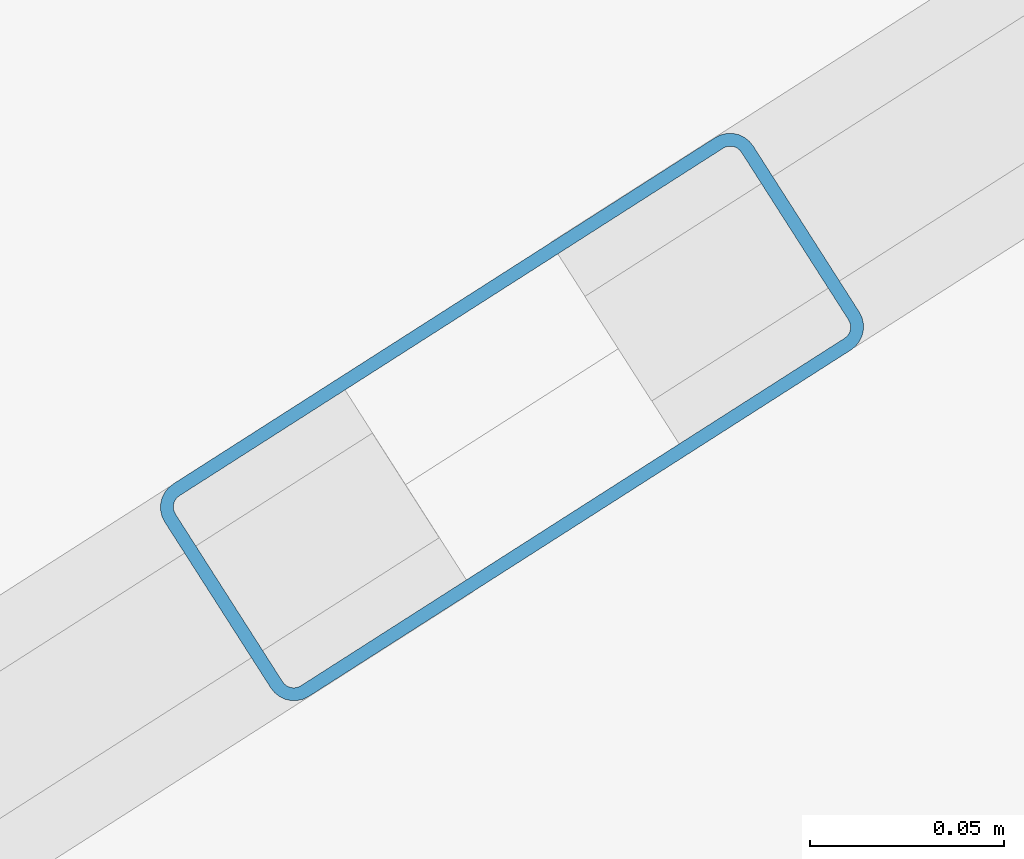
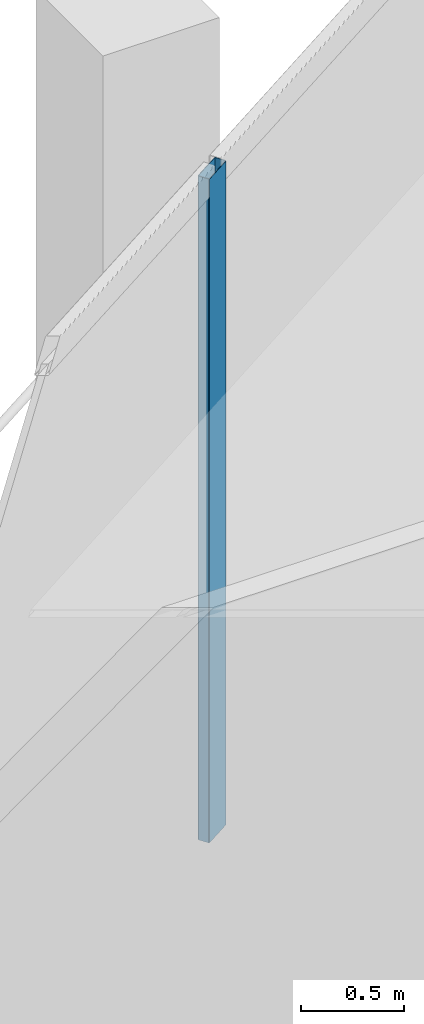
# One storey, part 14 of 44: 1 member, 1 element without a shape of its own.
"""IFC4 building model written with IfcOpenShell, lengths in metres."""

from ifc_helpers import new_model, si_unit, direction, frame, origin, origin_2d, place, context, subcontext, project, spatial, hollow_rectangle, extrude, material, layer, layer_set, material_profile, profile_set, type_object, element, aggregate, save


model = new_model("IFC4")

# Units and contexts
model_context = context("Model", 3, precision=1e-05, world=origin(), true_north=direction((0.0, 1.0)))
body_context = subcontext(model_context, "Body", "Model", "MODEL_VIEW")
ifc_project = project(units=[si_unit("LENGTHUNIT", "METRE"), si_unit("AREAUNIT", "SQUARE_METRE"), si_unit("VOLUMEUNIT", "CUBIC_METRE"), si_unit("PLANEANGLEUNIT", "RADIAN"), si_unit("MASSUNIT", "GRAM", prefix="KILO")], contexts=[model_context])

# Site, building, storey
site_placement = place(None, origin())
site = spatial("IfcSite", under=ifc_project, at=site_placement, CompositionType="ELEMENT")
building_placement = place(site_placement, origin())
building = spatial("IfcBuilding", under=site, at=building_placement, Name="Qorvath Tower", CompositionType="ELEMENT")
storey_placement = place(building_placement, frame((0.0, 0.0, 45.0)))
storey = spatial("IfcBuildingStorey", under=building, at=storey_placement, Name="L09", CompositionType="ELEMENT", Elevation=45.0)

# Curtain wall, member
ifc_material_1 = material(Name="Anodised aluminium and triple low-E glass", Category="aluminium")
ifc_layer = layer(ifc_material_1, 0.179931640625)
ifc_layer_set = layer_set([ifc_layer], Name="CW-SYS-2")
curtain_wall_type = type_object("IfcCurtainWallType", Name="CW-SYS-2", PredefinedType="NOTDEFINED", material=ifc_layer_set)
curtain_wall_placement = place(storey_placement, origin())
curtain_wall = element("IfcCurtainWall", 1, at=curtain_wall_placement, inside=storey, type_object=curtain_wall_type, Name="Curtain Wall CW-2 CW-T-L09-16.3", PredefinedType="NOTDEFINED")
ifc_material_2 = material(Name="Anodised aluminium 6063-T6", Category="aluminium")
ifc_material_profile = material_profile(ifc_material_2, hollow_rectangle(XDim=0.06494140625, YDim=0.179931640625, WallThickness=0.00341796875, InnerFilletRadius=0.00341796875, OuterFilletRadius=0.007080078125, at=origin_2d()), Name="CWM 180x65")
ifc_profile_set = profile_set([ifc_material_profile], Name="Anodised aluminium 6063-T6")
member_type = type_object("IfcMemberType", Name="CWM-180", PredefinedType="MULLION", material=ifc_profile_set)
member_placement = place(storey_placement, frame((-45.677001953125, 13.71435546875, 0.0), z_axis=(0.0, 0.0, 1.0), x_axis=(0.538531853978, -0.842605152044, 0.0)))
member = element("IfcMember", 2, at=member_placement, type_object=member_type, Name="CW-2 mullion 2", PredefinedType="MULLION", context=body_context, shape_type="SweptSolid", body=[
    extrude(hollow_rectangle(XDim=0.06494140625, YDim=0.179931640625, WallThickness=0.00341796875, InnerFilletRadius=0.00341796875, OuterFilletRadius=0.007080078125, at=origin_2d()), origin(), (0.0, 0.0, 1.0), 3.919921875),
])
aggregate(curtain_wall, [member])

save(model, "model.ifc")
